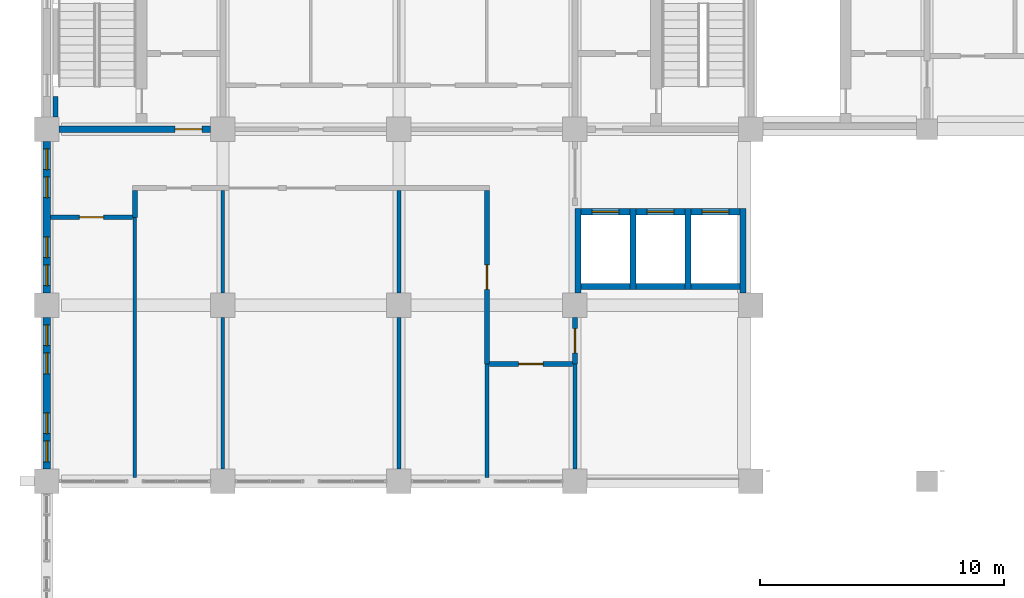
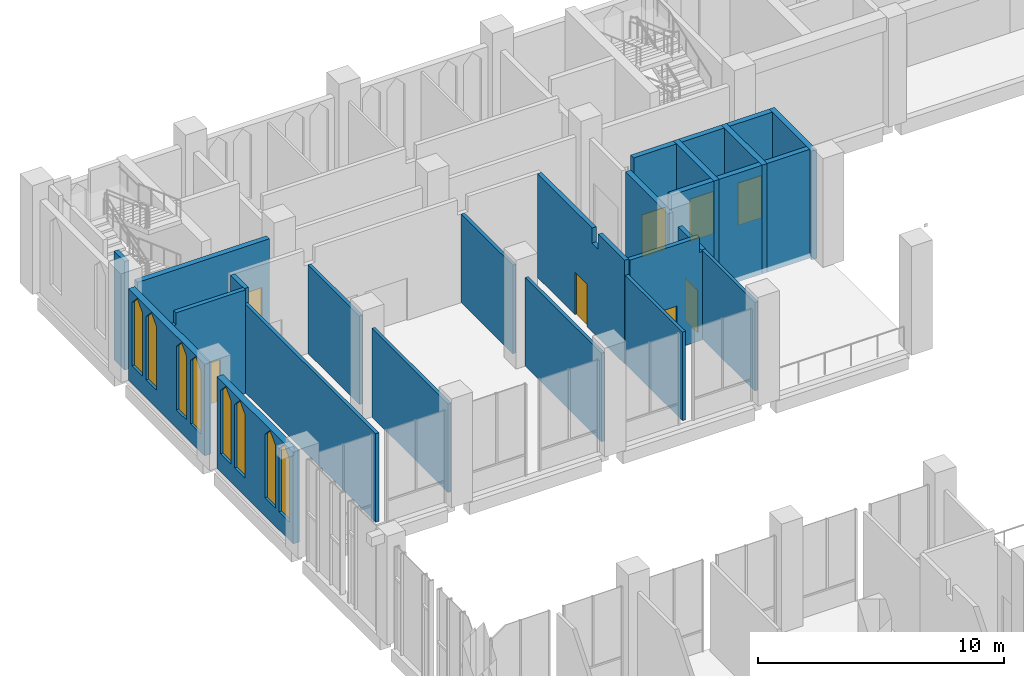
# One storey, part 30 of 48: 26 walls, 8 doors, 8 windows, 16 openings.
"""IFC4 building model written with IfcOpenShell, lengths in metres."""

from ifc_helpers import new_model, si_unit, direction, frame, frame_2d, origin, place, context, subcontext, project, spatial, polyline, rectangle, outline, extrude, material, layer, layer_set, type_object, element, fill, save


model = new_model("IFC4")

# Units and contexts
model_context = context("Model", 3, precision=1e-05, world=origin(), true_north=direction((0.0, 1.0)))
body_context = subcontext(model_context, "Body", "Model", "MODEL_VIEW")
ifc_project = project(units=[si_unit("LENGTHUNIT", "METRE"), si_unit("AREAUNIT", "SQUARE_METRE"), si_unit("VOLUMEUNIT", "CUBIC_METRE"), si_unit("PLANEANGLEUNIT", "RADIAN"), si_unit("MASSUNIT", "GRAM", prefix="KILO")], contexts=[model_context])

# Site, building, storey
site_placement = place(None, origin())
site = spatial("IfcSite", under=ifc_project, at=site_placement, CompositionType="ELEMENT")
building_placement = place(site_placement, origin())
building = spatial("IfcBuilding", under=site, at=building_placement, Name="Silangan Lancet Faculty of Sciences", CompositionType="ELEMENT")
storey_placement = place(building_placement, frame((0.0, 0.0, 6.0)))
storey = spatial("IfcBuildingStorey", under=building, at=storey_placement, Name="L01", CompositionType="ELEMENT", Elevation=6.0)

# Wall, openings, windows
ifc_material_1 = material(Name="Concrete C40/50", Category="concrete")
ifc_layer_1 = layer(ifc_material_1, 0.300048828125)
ifc_layer_set_1 = layer_set([ifc_layer_1], Name="Concrete C40/50")
wall_type_1 = type_object("IfcWallType", Name="EW6 Stone-faced base wall", PredefinedType="STANDARD", material=ifc_layer_set_1)
wall_1_placement = place(storey_placement, frame((0.0, 36.5, 0.0), z_axis=(0.0, 0.0, 1.0), x_axis=(0.0, 1.0, 0.0)))
wall_1 = element("IfcWall", 1, at=wall_1_placement, inside=storey, type_object=wall_type_1, Name="EW-L01-W-NT-00", PredefinedType="STANDARD", context=body_context, shape_type="SweptSolid", body=[
    extrude(rectangle(XDim=6.199951171875, YDim=0.300048828125, at=frame_2d((3.10009765625, 0.0))), origin(), (0.0, 0.0, 1.0), 4.550048828125),
])
opening_1_placement = place(wall_1_placement, frame((0.300048828125, 0.0, 0.89990234375)))
opening_1 = element("IfcOpeningElement", 2, at=opening_1_placement, cuts=wall_1, Name="Opening W7", PredefinedType="OPENING", context=body_context, shape_type="SweptSolid", body=[
    extrude(outline(polyline([(0.0, 0.0), (0.85009765625, 0.0), (0.85009765625, 3.150146484375), (0.425048828125, 3.60009765625), (0.0, 3.150146484375), (0.0, 0.0)])), frame((0.0, 0.159912109375, 0.0), z_axis=(0.0, -1.0, 0.0), x_axis=(1.0, 0.0, 0.0)), (0.0, 0.0, 1.0), 0.320068359375),
])
opening_2_placement = place(wall_1_placement, frame((1.449951171875, 0.0, 0.89990234375)))
opening_2 = element("IfcOpeningElement", 3, at=opening_2_placement, cuts=wall_1, Name="Opening W7", PredefinedType="OPENING", context=body_context, shape_type="SweptSolid", body=[
    extrude(outline(polyline([(0.0, 0.0), (0.85009765625, 0.0), (0.85009765625, 3.150146484375), (0.425048828125, 3.60009765625), (0.0, 3.150146484375), (0.0, 0.0)])), frame((0.0, 0.159912109375, 0.0), z_axis=(0.0, -1.0, 0.0), x_axis=(1.0, 0.0, 0.0)), (0.0, 0.0, 1.0), 0.320068359375),
])
opening_3_placement = place(wall_1_placement, frame((3.89990234375, 0.0, 0.89990234375)))
opening_3 = element("IfcOpeningElement", 4, at=opening_3_placement, cuts=wall_1, Name="Opening W7", PredefinedType="OPENING", context=body_context, shape_type="SweptSolid", body=[
    extrude(outline(polyline([(0.0, 0.0), (0.85009765625, 0.0), (0.85009765625, 3.150146484375), (0.425048828125, 3.60009765625), (0.0, 3.150146484375), (0.0, 0.0)])), frame((0.0, 0.159912109375, 0.0), z_axis=(0.0, -1.0, 0.0), x_axis=(1.0, 0.0, 0.0)), (0.0, 0.0, 1.0), 0.320068359375),
])
opening_4_placement = place(wall_1_placement, frame((5.050048828125, 0.0, 0.89990234375)))
opening_4 = element("IfcOpeningElement", 5, at=opening_4_placement, cuts=wall_1, Name="Opening W7", PredefinedType="OPENING", context=body_context, shape_type="SweptSolid", body=[
    extrude(outline(polyline([(0.0, 0.0), (0.85009765625, 0.0), (0.85009765625, 3.150146484375), (0.425048828125, 3.60009765625), (0.0, 3.150146484375), (0.0, 0.0)])), frame((0.0, 0.159912109375, 0.0), z_axis=(0.0, -1.0, 0.0), x_axis=(1.0, 0.0, 0.0)), (0.0, 0.0, 1.0), 0.320068359375),
])
ifc_material_2 = material(Name="Aluminium frame, laminated double glazing", Category="aluminium")
window_type = type_object("IfcWindowType", Name="W7 Lancet window 850 x 3600", PartitioningType="SINGLE_PANEL", PredefinedType="WINDOW", material=ifc_material_2)
window_1_placement = place(opening_1_placement, origin())
window_1 = element("IfcWindow", 6, at=window_1_placement, inside=storey, type_object=window_type, Name="WIN-L01-W-NT-00a1", OverallHeight=3.60009765625, OverallWidth=0.85009765625, PartitioningType="SINGLE_PANEL", PredefinedType="WINDOW", context=body_context, shape_type="SweptSolid", body=[
    extrude(outline(polyline([(0.0, 0.0), (0.85009765625, 0.0), (0.85009765625, 3.150146484375), (0.425048828125, 3.60009765625), (0.0, 3.150146484375), (0.0, 0.0)])), frame((0.0, 0.030029296875, 0.0), z_axis=(0.0, -1.0, 0.0), x_axis=(1.0, 0.0, 0.0)), (0.0, 0.0, 1.0), 0.06005859375),
])
fill(opening_1, window_1)
window_2_placement = place(opening_2_placement, origin())
window_2 = element("IfcWindow", 7, at=window_2_placement, inside=storey, type_object=window_type, Name="WIN-L01-W-NT-00a2", OverallHeight=3.60009765625, OverallWidth=0.85009765625, PartitioningType="SINGLE_PANEL", PredefinedType="WINDOW", context=body_context, shape_type="SweptSolid", body=[
    extrude(outline(polyline([(0.0, 0.0), (0.85009765625, 0.0), (0.85009765625, 3.150146484375), (0.425048828125, 3.60009765625), (0.0, 3.150146484375), (0.0, 0.0)])), frame((0.0, 0.030029296875, 0.0), z_axis=(0.0, -1.0, 0.0), x_axis=(1.0, 0.0, 0.0)), (0.0, 0.0, 1.0), 0.06005859375),
])
fill(opening_2, window_2)
window_3_placement = place(opening_3_placement, origin())
window_3 = element("IfcWindow", 8, at=window_3_placement, inside=storey, type_object=window_type, Name="WIN-L01-W-NT-00b1", OverallHeight=3.60009765625, OverallWidth=0.85009765625, PartitioningType="SINGLE_PANEL", PredefinedType="WINDOW", context=body_context, shape_type="SweptSolid", body=[
    extrude(outline(polyline([(0.0, 0.0), (0.85009765625, 0.0), (0.85009765625, 3.150146484375), (0.425048828125, 3.60009765625), (0.0, 3.150146484375), (0.0, 0.0)])), frame((0.0, 0.030029296875, 0.0), z_axis=(0.0, -1.0, 0.0), x_axis=(1.0, 0.0, 0.0)), (0.0, 0.0, 1.0), 0.06005859375),
])
fill(opening_3, window_3)
window_4_placement = place(opening_4_placement, origin())
window_4 = element("IfcWindow", 9, at=window_4_placement, inside=storey, type_object=window_type, Name="WIN-L01-W-NT-00b2", OverallHeight=3.60009765625, OverallWidth=0.85009765625, PartitioningType="SINGLE_PANEL", PredefinedType="WINDOW", context=body_context, shape_type="SweptSolid", body=[
    extrude(outline(polyline([(0.0, 0.0), (0.85009765625, 0.0), (0.85009765625, 3.150146484375), (0.425048828125, 3.60009765625), (0.0, 3.150146484375), (0.0, 0.0)])), frame((0.0, 0.030029296875, 0.0), z_axis=(0.0, -1.0, 0.0), x_axis=(1.0, 0.0, 0.0)), (0.0, 0.0, 1.0), 0.06005859375),
])
fill(opening_4, window_4)

wall_2_placement = place(storey_placement, frame((0.0, 43.699951171875, 0.0), z_axis=(0.0, 0.0, 1.0), x_axis=(0.0, 1.0, 0.0)))
wall_2 = element("IfcWall", 10, at=wall_2_placement, inside=storey, type_object=wall_type_1, Name="EW-L01-W-NT-01", PredefinedType="STANDARD", context=body_context, shape_type="SweptSolid", body=[
    extrude(rectangle(XDim=6.199951171875, YDim=0.300048828125, at=frame_2d((3.10009765625, 0.0))), origin(), (0.0, 0.0, 1.0), 4.550048828125),
])
opening_5_placement = place(wall_2_placement, frame((0.300048828125, 0.0, 0.89990234375)))
opening_5 = element("IfcOpeningElement", 11, at=opening_5_placement, cuts=wall_2, Name="Opening W7", PredefinedType="OPENING", context=body_context, shape_type="SweptSolid", body=[
    extrude(outline(polyline([(0.0, 0.0), (0.85009765625, 0.0), (0.85009765625, 3.150146484375), (0.425048828125, 3.60009765625), (0.0, 3.150146484375), (0.0, 0.0)])), frame((0.0, 0.159912109375, 0.0), z_axis=(0.0, -1.0, 0.0), x_axis=(1.0, 0.0, 0.0)), (0.0, 0.0, 1.0), 0.320068359375),
])
opening_6_placement = place(wall_2_placement, frame((1.449951171875, 0.0, 0.89990234375)))
opening_6 = element("IfcOpeningElement", 12, at=opening_6_placement, cuts=wall_2, Name="Opening W7", PredefinedType="OPENING", context=body_context, shape_type="SweptSolid", body=[
    extrude(outline(polyline([(0.0, 0.0), (0.85009765625, 0.0), (0.85009765625, 3.150146484375), (0.425048828125, 3.60009765625), (0.0, 3.150146484375), (0.0, 0.0)])), frame((0.0, 0.159912109375, 0.0), z_axis=(0.0, -1.0, 0.0), x_axis=(1.0, 0.0, 0.0)), (0.0, 0.0, 1.0), 0.320068359375),
])
opening_7_placement = place(wall_2_placement, frame((3.89990234375, 0.0, 0.89990234375)))
opening_7 = element("IfcOpeningElement", 13, at=opening_7_placement, cuts=wall_2, Name="Opening W7", PredefinedType="OPENING", context=body_context, shape_type="SweptSolid", body=[
    extrude(outline(polyline([(0.0, 0.0), (0.85009765625, 0.0), (0.85009765625, 3.150146484375), (0.425048828125, 3.60009765625), (0.0, 3.150146484375), (0.0, 0.0)])), frame((0.0, 0.159912109375, 0.0), z_axis=(0.0, -1.0, 0.0), x_axis=(1.0, 0.0, 0.0)), (0.0, 0.0, 1.0), 0.320068359375),
])
opening_8_placement = place(wall_2_placement, frame((5.050048828125, 0.0, 0.89990234375)))
opening_8 = element("IfcOpeningElement", 14, at=opening_8_placement, cuts=wall_2, Name="Opening W7", PredefinedType="OPENING", context=body_context, shape_type="SweptSolid", body=[
    extrude(outline(polyline([(0.0, 0.0), (0.85009765625, 0.0), (0.85009765625, 3.150146484375), (0.425048828125, 3.60009765625), (0.0, 3.150146484375), (0.0, 0.0)])), frame((0.0, 0.159912109375, 0.0), z_axis=(0.0, -1.0, 0.0), x_axis=(1.0, 0.0, 0.0)), (0.0, 0.0, 1.0), 0.320068359375),
])
window_5_placement = place(opening_5_placement, origin())
window_5 = element("IfcWindow", 15, at=window_5_placement, inside=storey, type_object=window_type, Name="WIN-L01-W-NT-01a1", OverallHeight=3.60009765625, OverallWidth=0.85009765625, PartitioningType="SINGLE_PANEL", PredefinedType="WINDOW", context=body_context, shape_type="SweptSolid", body=[
    extrude(outline(polyline([(0.0, 0.0), (0.85009765625, 0.0), (0.85009765625, 3.150146484375), (0.425048828125, 3.60009765625), (0.0, 3.150146484375), (0.0, 0.0)])), frame((0.0, 0.030029296875, 0.0), z_axis=(0.0, -1.0, 0.0), x_axis=(1.0, 0.0, 0.0)), (0.0, 0.0, 1.0), 0.06005859375),
])
fill(opening_5, window_5)
window_6_placement = place(opening_6_placement, origin())
window_6 = element("IfcWindow", 16, at=window_6_placement, inside=storey, type_object=window_type, Name="WIN-L01-W-NT-01a2", OverallHeight=3.60009765625, OverallWidth=0.85009765625, PartitioningType="SINGLE_PANEL", PredefinedType="WINDOW", context=body_context, shape_type="SweptSolid", body=[
    extrude(outline(polyline([(0.0, 0.0), (0.85009765625, 0.0), (0.85009765625, 3.150146484375), (0.425048828125, 3.60009765625), (0.0, 3.150146484375), (0.0, 0.0)])), frame((0.0, 0.030029296875, 0.0), z_axis=(0.0, -1.0, 0.0), x_axis=(1.0, 0.0, 0.0)), (0.0, 0.0, 1.0), 0.06005859375),
])
fill(opening_6, window_6)
window_7_placement = place(opening_7_placement, origin())
window_7 = element("IfcWindow", 17, at=window_7_placement, inside=storey, type_object=window_type, Name="WIN-L01-W-NT-01b1", OverallHeight=3.60009765625, OverallWidth=0.85009765625, PartitioningType="SINGLE_PANEL", PredefinedType="WINDOW", context=body_context, shape_type="SweptSolid", body=[
    extrude(outline(polyline([(0.0, 0.0), (0.85009765625, 0.0), (0.85009765625, 3.150146484375), (0.425048828125, 3.60009765625), (0.0, 3.150146484375), (0.0, 0.0)])), frame((0.0, 0.030029296875, 0.0), z_axis=(0.0, -1.0, 0.0), x_axis=(1.0, 0.0, 0.0)), (0.0, 0.0, 1.0), 0.06005859375),
])
fill(opening_7, window_7)
window_8_placement = place(opening_8_placement, origin())
window_8 = element("IfcWindow", 18, at=window_8_placement, inside=storey, type_object=window_type, Name="WIN-L01-W-NT-01b2", OverallHeight=3.60009765625, OverallWidth=0.85009765625, PartitioningType="SINGLE_PANEL", PredefinedType="WINDOW", context=body_context, shape_type="SweptSolid", body=[
    extrude(outline(polyline([(0.0, 0.0), (0.85009765625, 0.0), (0.85009765625, 3.150146484375), (0.425048828125, 3.60009765625), (0.0, 3.150146484375), (0.0, 0.0)])), frame((0.0, 0.030029296875, 0.0), z_axis=(0.0, -1.0, 0.0), x_axis=(1.0, 0.0, 0.0)), (0.0, 0.0, 1.0), 0.06005859375),
])
fill(opening_8, window_8)

# Wall, opening, door
ifc_material_3 = material(Name="Hollow block masonry fm 7 MPa", Category="masonry")
ifc_layer_2 = layer(ifc_material_3, 0.199951171875)
ifc_layer_set_2 = layer_set([ifc_layer_2], Name="Hollow block masonry fm 7 MPa")
wall_type_2 = type_object("IfcWallType", Name="Interior wall PW1 Corridor wall CHB 200", PredefinedType="PARTITIONING", material=ifc_layer_set_2)
wall_3_placement = place(storey_placement, frame((18.10009765625, 40.800048828125, 0.0), z_axis=(0.0, 0.0, 1.0), x_axis=(1.0, 0.0, 0.0)))
wall_3 = element("IfcWall", 19, at=wall_3_placement, inside=storey, type_object=wall_type_2, Name="Corridor wall CHB 200", PredefinedType="PARTITIONING", context=body_context, shape_type="SweptSolid", body=[
    extrude(outline(polyline([(0.0, 0.0), (3.39990234375, 0.0), (3.39990234375, 4.39990234375), (3.25, 4.39990234375), (3.25, 5.14990234375), (0.0, 5.14990234375), (0.0, 0.0)])), frame((0.0, 0.10009765625, 0.0), z_axis=(0.0, -1.0, 0.0), x_axis=(1.0, 0.0, 0.0)), (0.0, 0.0, 1.0), 0.199951171875),
])
opening_9_placement = place(wall_3_placement, frame((1.199951171875, 0.0, 0.0)))
opening_9 = element("IfcOpeningElement", 20, at=opening_9_placement, cuts=wall_3, Name="Opening L01-024", PredefinedType="OPENING", context=body_context, shape_type="SweptSolid", body=[
    extrude(rectangle(XDim=1.0, YDim=2.10009765625, at=frame_2d((0.5, 1.050048828125))), frame((0.0, 0.10986328125, 0.0), z_axis=(0.0, -1.0, 0.0), x_axis=(1.0, 0.0, 0.0)), (0.0, 0.0, 1.0), 0.219970703125),
])
ifc_material_4 = material(Name="Steel fire door set", Category="steel")
door_type_1 = type_object("IfcDoorType", Name="Door D1 Single leaf fire door 1000 x 2100", OperationType="SINGLE_SWING_LEFT", PredefinedType="DOOR", material=ifc_material_4)
door_1_placement = place(opening_9_placement, frame((1.0, 0.0, 0.0), z_axis=(0.0, 0.0, 1.0), x_axis=(-1.0, 0.0, 0.0)))
door_1 = element("IfcDoor", 21, at=door_1_placement, inside=storey, type_object=door_type_1, Name="Single leaf fire door 1000 x 2100", OperationType="SINGLE_SWING_RIGHT", OverallHeight=2.10009765625, OverallWidth=1.0, PredefinedType="DOOR", context=body_context, shape_type="SweptSolid", body=[
    extrude(rectangle(XDim=1.0, YDim=2.10009765625, at=frame_2d((0.5, 1.050048828125))), frame((0.0, 0.025146484375, 0.0), z_axis=(0.0, -1.0, 0.0), x_axis=(1.0, 0.0, 0.0)), (0.0, 0.0, 1.0), 0.050048828125),
])
fill(opening_9, door_1)

wall_4_placement = place(storey_placement, frame((0.14990234375, 46.800048828125, 0.0), z_axis=(0.0, 0.0, 1.0), x_axis=(1.0, 0.0, 0.0)))
wall_4 = element("IfcWall", 22, at=wall_4_placement, inside=storey, type_object=wall_type_2, Name="Corridor wall CHB 200", PredefinedType="PARTITIONING", context=body_context, shape_type="SweptSolid", body=[
    extrude(outline(polyline([(0.0, 0.0), (3.35009765625, 0.0), (3.35009765625, 5.14990234375), (0.10009765625, 5.14990234375), (0.10009765625, 4.550048828125), (0.0, 4.550048828125), (0.0, 0.0)])), frame((0.0, 0.10009765625, 0.0), z_axis=(0.0, -1.0, 0.0), x_axis=(1.0, 0.0, 0.0)), (0.0, 0.0, 1.0), 0.199951171875),
])
opening_10_placement = place(wall_4_placement, frame((1.175048828125, 0.0, 0.0)))
opening_10 = element("IfcOpeningElement", 23, at=opening_10_placement, cuts=wall_4, Name="Opening L01-026", PredefinedType="OPENING", context=body_context, shape_type="SweptSolid", body=[
    extrude(rectangle(XDim=1.0, YDim=2.10009765625, at=frame_2d((0.5, 1.050048828125))), frame((0.0, 0.10986328125, 0.0), z_axis=(0.0, -1.0, 0.0), x_axis=(1.0, 0.0, 0.0)), (0.0, 0.0, 1.0), 0.219970703125),
])
door_2_placement = place(opening_10_placement, frame((1.0, 0.0, 0.0), z_axis=(0.0, 0.0, 1.0), x_axis=(-1.0, 0.0, 0.0)))
door_2 = element("IfcDoor", 24, at=door_2_placement, inside=storey, type_object=door_type_1, Name="Single leaf fire door 1000 x 2100", OperationType="SINGLE_SWING_RIGHT", OverallHeight=2.10009765625, OverallWidth=1.0, PredefinedType="DOOR", context=body_context, shape_type="SweptSolid", body=[
    extrude(rectangle(XDim=1.0, YDim=2.10009765625, at=frame_2d((0.5, 1.050048828125))), frame((0.0, 0.025146484375, 0.0), z_axis=(0.0, -1.0, 0.0), x_axis=(1.0, 0.0, 0.0)), (0.0, 0.0, 1.0), 0.050048828125),
])
fill(opening_10, door_2)

# Wall
wall_5_placement = place(storey_placement, frame((3.60009765625, 46.800048828125, 0.0), z_axis=(0.0, 0.0, 1.0), x_axis=(0.0, 1.0, 0.0)))
element("IfcWall", 25, at=wall_5_placement, inside=storey, type_object=wall_type_2, Name="Corridor wall CHB 200", PredefinedType="PARTITIONING", context=body_context, shape_type="SweptSolid", body=[
    extrude(rectangle(XDim=1.099853515625, YDim=0.199951171875, at=frame_2d((0.5498046875, 0.0))), origin(), (0.0, 0.0, 1.0), 5.14990234375),
])

# Wall, opening, door
wall_6_placement = place(storey_placement, frame((18.0, 40.800048828125, 0.0), z_axis=(0.0, 0.0, 1.0), x_axis=(0.0, 1.0, 0.0)))
wall_6 = element("IfcWall", 26, at=wall_6_placement, inside=storey, type_object=wall_type_2, Name="Corridor wall CHB 200", PredefinedType="PARTITIONING", context=body_context, shape_type="SweptSolid", body=[
    extrude(outline(polyline([(0.0, 0.0), (7.099853515625, 0.0), (7.099853515625, 5.14990234375), (2.64990234375, 5.14990234375), (2.64990234375, 4.39990234375), (2.14990234375, 4.39990234375), (2.14990234375, 5.14990234375), (0.0, 5.14990234375), (0.0, 0.0)])), frame((0.0, 0.10009765625, 0.0), z_axis=(0.0, -1.0, 0.0), x_axis=(1.0, 0.0, 0.0)), (0.0, 0.0, 1.0), 0.199951171875),
])
opening_11_placement = place(wall_6_placement, frame((3.050048828125, 0.0, 0.0)))
opening_11 = element("IfcOpeningElement", 27, at=opening_11_placement, cuts=wall_6, Name="Opening L01-030", PredefinedType="OPENING", context=body_context, shape_type="SweptSolid", body=[
    extrude(rectangle(XDim=1.0, YDim=2.10009765625, at=frame_2d((0.5, 1.050048828125))), frame((0.0, 0.10986328125, 0.0), z_axis=(0.0, -1.0, 0.0), x_axis=(1.0, 0.0, 0.0)), (0.0, 0.0, 1.0), 0.219970703125),
])
door_3_placement = place(opening_11_placement, origin())
door_3 = element("IfcDoor", 28, at=door_3_placement, inside=storey, type_object=door_type_1, Name="Single leaf fire door 1000 x 2100", OperationType="SINGLE_SWING_RIGHT", OverallHeight=2.10009765625, OverallWidth=1.0, PredefinedType="DOOR", context=body_context, shape_type="SweptSolid", body=[
    extrude(rectangle(XDim=1.0, YDim=2.10009765625, at=frame_2d((0.5, 1.050048828125))), frame((0.0, 0.02490234375, 0.0), z_axis=(0.0, -1.0, 0.0), x_axis=(1.0, 0.0, 0.0)), (0.0, 0.0, 1.0), 0.050048828125),
])
fill(opening_11, door_3)

wall_7_placement = place(storey_placement, frame((21.60009765625, 40.800048828125, 0.0), z_axis=(0.0, 0.0, 1.0), x_axis=(0.0, 1.0, 0.0)))
wall_7 = element("IfcWall", 29, at=wall_7_placement, inside=storey, type_object=wall_type_2, Name="Corridor wall CHB 200", PredefinedType="PARTITIONING", context=body_context, shape_type="SweptSolid", body=[
    extrude(rectangle(XDim=1.89990234375, YDim=0.199951171875, at=frame_2d((0.949951171875, 0.0))), origin(), (0.0, 0.0, 1.0), 4.39990234375),
])
opening_12_placement = place(wall_7_placement, frame((0.449951171875, 0.0, 0.0)))
opening_12 = element("IfcOpeningElement", 30, at=opening_12_placement, cuts=wall_7, Name="Opening L01-025", PredefinedType="OPENING", context=body_context, shape_type="SweptSolid", body=[
    extrude(rectangle(XDim=1.0, YDim=2.10009765625, at=frame_2d((0.5, 1.050048828125))), frame((0.0, 0.10986328125, 0.0), z_axis=(0.0, -1.0, 0.0), x_axis=(1.0, 0.0, 0.0)), (0.0, 0.0, 1.0), 0.219970703125),
])
door_4_placement = place(opening_12_placement, frame((1.0, 0.0, 0.0), z_axis=(0.0, 0.0, 1.0), x_axis=(-1.0, 0.0, 0.0)))
door_4 = element("IfcDoor", 31, at=door_4_placement, inside=storey, type_object=door_type_1, Name="Single leaf fire door 1000 x 2100", OperationType="SINGLE_SWING_LEFT", OverallHeight=2.10009765625, OverallWidth=1.0, PredefinedType="DOOR", context=body_context, shape_type="SweptSolid", body=[
    extrude(rectangle(XDim=1.0, YDim=2.10009765625, at=frame_2d((0.5, 1.050048828125))), frame((0.0, 0.025146484375, 0.0), z_axis=(0.0, -1.0, 0.0), x_axis=(1.0, 0.0, 0.0)), (0.0, 0.0, 1.0), 0.050048828125),
])
fill(opening_12, door_4)

# Walls
ifc_material_5 = material(Name="Hollow block masonry fm 7 MPa", Category="masonry")
ifc_layer_3 = layer(ifc_material_5, 0.14990234375)
ifc_layer_set_3 = layer_set([ifc_layer_3], Name="Hollow block masonry fm 7 MPa")
wall_type_3 = type_object("IfcWallType", Name="Interior wall PW3 Partition CHB 150", PredefinedType="PARTITIONING", material=ifc_layer_set_3)
wall_8_placement = place(storey_placement, frame((3.60009765625, 36.14990234375, 0.0), z_axis=(0.0, 0.0, 1.0), x_axis=(0.0, 1.0, 0.0)))
element("IfcWall", 32, at=wall_8_placement, inside=storey, type_object=wall_type_3, Name="Partition CHB 150", PredefinedType="PARTITIONING", context=body_context, shape_type="SweptSolid", body=[
    extrude(rectangle(XDim=10.650146484375, YDim=0.14990234375, at=frame_2d((5.3251953125, 0.0))), origin(), (0.0, 0.0, 1.0), 4.39990234375),
])
wall_9_placement = place(storey_placement, frame((7.199951171875, 36.5, 0.0), z_axis=(0.0, 0.0, 1.0), x_axis=(0.0, 1.0, 0.0)))
element("IfcWall", 33, at=wall_9_placement, inside=storey, type_object=wall_type_3, Name="Partition CHB 150", PredefinedType="PARTITIONING", context=body_context, shape_type="SweptSolid", body=[
    extrude(rectangle(XDim=6.199951171875, YDim=0.14990234375, at=frame_2d((3.10009765625, 0.0))), origin(), (0.0, 0.0, 1.0), 4.39990234375),
])
wall_10_placement = place(storey_placement, frame((7.199951171875, 43.699951171875, 0.0), z_axis=(0.0, 0.0, 1.0), x_axis=(0.0, 1.0, 0.0)))
element("IfcWall", 34, at=wall_10_placement, inside=storey, type_object=wall_type_3, Name="Partition CHB 150", PredefinedType="PARTITIONING", context=body_context, shape_type="SweptSolid", body=[
    extrude(rectangle(XDim=4.199951171875, YDim=0.14990234375, at=frame_2d((2.10009765625, 0.0))), origin(), (0.0, 0.0, 1.0), 4.39990234375),
])
wall_11_placement = place(storey_placement, frame((14.39990234375, 36.5, 0.0), z_axis=(0.0, 0.0, 1.0), x_axis=(0.0, 1.0, 0.0)))
element("IfcWall", 35, at=wall_11_placement, inside=storey, type_object=wall_type_3, Name="Partition CHB 150", PredefinedType="PARTITIONING", context=body_context, shape_type="SweptSolid", body=[
    extrude(rectangle(XDim=6.199951171875, YDim=0.14990234375, at=frame_2d((3.10009765625, 0.0))), origin(), (0.0, 0.0, 1.0), 4.39990234375),
])
wall_12_placement = place(storey_placement, frame((14.39990234375, 43.699951171875, 0.0), z_axis=(0.0, 0.0, 1.0), x_axis=(0.0, 1.0, 0.0)))
element("IfcWall", 36, at=wall_12_placement, inside=storey, type_object=wall_type_3, Name="Partition CHB 150", PredefinedType="PARTITIONING", context=body_context, shape_type="SweptSolid", body=[
    extrude(rectangle(XDim=4.199951171875, YDim=0.14990234375, at=frame_2d((2.10009765625, 0.0))), origin(), (0.0, 0.0, 1.0), 4.39990234375),
])
wall_13_placement = place(storey_placement, frame((18.0, 36.14990234375, 0.0), z_axis=(0.0, 0.0, 1.0), x_axis=(0.0, 1.0, 0.0)))
element("IfcWall", 37, at=wall_13_placement, inside=storey, type_object=wall_type_3, Name="Partition CHB 150", PredefinedType="PARTITIONING", context=body_context, shape_type="SweptSolid", body=[
    extrude(rectangle(XDim=4.650146484375, YDim=0.14990234375, at=frame_2d((2.3251953125, 0.0))), origin(), (0.0, 0.0, 1.0), 4.39990234375),
])
wall_14_placement = place(storey_placement, frame((21.60009765625, 36.5, 0.0), z_axis=(0.0, 0.0, 1.0), x_axis=(0.0, 1.0, 0.0)))
element("IfcWall", 38, at=wall_14_placement, inside=storey, type_object=wall_type_3, Name="Partition CHB 150", PredefinedType="PARTITIONING", context=body_context, shape_type="SweptSolid", body=[
    extrude(rectangle(XDim=4.300048828125, YDim=0.14990234375, at=frame_2d((2.14990234375, 0.0))), origin(), (0.0, 0.0, 1.0), 4.39990234375),
])
ifc_material_6 = material(Name="Concrete C40/50", Category="concrete")
ifc_layer_4 = layer(ifc_material_6, 0.25)
ifc_layer_set_4 = layer_set([ifc_layer_4], Name="Concrete C40/50")
wall_type_4 = type_object("IfcWallType", Name="LIFT SHAFT WALL RC 250", PredefinedType="SHEAR", material=ifc_layer_set_4)
wall_15_placement = place(storey_placement, frame((21.72509765625, 43.699951171875, -0.25), z_axis=(0.0, 0.0, 1.0), x_axis=(0.0, 1.0, 0.0)))
element("IfcWall", 39, at=wall_15_placement, inside=storey, type_object=wall_type_4, Name="WALL-L01-NT-SW1", PredefinedType="SHEAR", context=body_context, shape_type="SweptSolid", body=[
    extrude(rectangle(XDim=3.449951171875, YDim=0.25, at=frame_2d((1.72509765625, 0.0))), origin(), (0.0, 0.0, 1.0), 4.64990234375),
])
for number, where, z_axis, x_axis, name in (
    (40, (23.97509765625, 43.85009765625, -0.25), (0.0, 0.0, 1.0), (0.0, 1.0, 0.0), "WALL-L01-NT-SW2"),
    (41, (26.22509765625, 43.85009765625, -0.25), (0.0, 0.0, 1.0), (0.0, 1.0, 0.0), "WALL-L01-NT-SW3"),
):
    element("IfcWall", number, at=place(storey_placement, frame(where, z_axis=z_axis, x_axis=x_axis)), inside=storey, type_object=wall_type_4, Name=name, PredefinedType="SHEAR", context=body_context, shape_type="SweptSolid", body=[
        extrude(rectangle(XDim=3.2998046875, YDim=0.25, at=frame_2d((1.64990234375, 0.0))), origin(), (0.0, 0.0, 1.0), 5.39990234375),
    ])
wall_16_placement = place(storey_placement, frame((28.47509765625, 43.699951171875, -0.25), z_axis=(0.0, 0.0, 1.0), x_axis=(0.0, 1.0, 0.0)))
element("IfcWall", 42, at=wall_16_placement, inside=storey, type_object=wall_type_4, Name="WALL-L01-NT-SW4", PredefinedType="SHEAR", context=body_context, shape_type="SweptSolid", body=[
    extrude(rectangle(XDim=3.449951171875, YDim=0.25, at=frame_2d((1.72509765625, 0.0))), origin(), (0.0, 0.0, 1.0), 5.39990234375),
])

# Wall, opening, door
wall_17_placement = place(storey_placement, frame((21.85009765625, 47.02490234375, -0.25), z_axis=(0.0, 0.0, 1.0), x_axis=(1.0, 0.0, 0.0)))
wall_17 = element("IfcWall", 43, at=wall_17_placement, inside=storey, type_object=wall_type_4, Name="WALL-L01-NT-L1-F", PredefinedType="SHEAR", context=body_context, shape_type="SweptSolid", body=[
    extrude(rectangle(XDim=2.0, YDim=0.25, at=frame_2d((1.0, 0.0))), origin(), (0.0, 0.0, 1.0), 5.39990234375),
])
opening_13_placement = place(wall_17_placement, frame((0.449951171875, 0.0, 0.25)))
opening_13 = element("IfcOpeningElement", 44, at=opening_13_placement, cuts=wall_17, Name="Opening L01-804", PredefinedType="OPENING", context=body_context, shape_type="SweptSolid", body=[
    extrude(rectangle(XDim=1.10009765625, YDim=2.10009765625, at=frame_2d((0.550048828125, 1.050048828125))), frame((0.0, 0.135009765625, 0.0), z_axis=(0.0, -1.0, 0.0), x_axis=(1.0, 0.0, 0.0)), (0.0, 0.0, 1.0), 0.27001953125),
])
ifc_material_7 = material(Name="Stainless steel sliding door", Category="steel")
door_type_2 = type_object("IfcDoorType", Name="LD1 Lift landing door 1100x2100", OperationType="SLIDING_TO_LEFT", PredefinedType="DOOR", material=ifc_material_7)
door_5_placement = place(opening_13_placement, origin())
door_5 = element("IfcDoor", 45, at=door_5_placement, inside=storey, type_object=door_type_2, Name="Landing door NT-L1 L01", OperationType="SLIDING_TO_LEFT", OverallHeight=2.10009765625, OverallWidth=1.10009765625, PredefinedType="DOOR", context=body_context, shape_type="SweptSolid", body=[
    extrude(rectangle(XDim=1.10009765625, YDim=2.10009765625, at=frame_2d((0.550048828125, 1.050048828125))), frame((0.0, 0.02490234375, 0.0), z_axis=(0.0, -1.0, 0.0), x_axis=(1.0, 0.0, 0.0)), (0.0, 0.0, 1.0), 0.050048828125),
])
fill(opening_13, door_5)

# Wall
wall_18_placement = place(storey_placement, frame((21.85009765625, 43.97509765625, -0.25), z_axis=(0.0, 0.0, 1.0), x_axis=(1.0, 0.0, 0.0)))
element("IfcWall", 46, at=wall_18_placement, inside=storey, type_object=wall_type_4, Name="WALL-L01-NT-L1-B", PredefinedType="SHEAR", context=body_context, shape_type="SweptSolid", body=[
    extrude(rectangle(XDim=2.0, YDim=0.25, at=frame_2d((1.0, 0.0))), origin(), (0.0, 0.0, 1.0), 5.39990234375),
])

# Wall, opening, door
wall_19_placement = place(storey_placement, frame((24.10009765625, 47.02490234375, -0.25), z_axis=(0.0, 0.0, 1.0), x_axis=(1.0, 0.0, 0.0)))
wall_19 = element("IfcWall", 47, at=wall_19_placement, inside=storey, type_object=wall_type_4, Name="WALL-L01-NT-L2-F", PredefinedType="SHEAR", context=body_context, shape_type="SweptSolid", body=[
    extrude(rectangle(XDim=2.0, YDim=0.25, at=frame_2d((1.0, 0.0))), origin(), (0.0, 0.0, 1.0), 5.39990234375),
])
opening_14_placement = place(wall_19_placement, frame((0.449951171875, 0.0, 0.25)))
opening_14 = element("IfcOpeningElement", 48, at=opening_14_placement, cuts=wall_19, Name="Opening L01-805", PredefinedType="OPENING", context=body_context, shape_type="SweptSolid", body=[
    extrude(rectangle(XDim=1.10009765625, YDim=2.10009765625, at=frame_2d((0.550048828125, 1.050048828125))), frame((0.0, 0.135009765625, 0.0), z_axis=(0.0, -1.0, 0.0), x_axis=(1.0, 0.0, 0.0)), (0.0, 0.0, 1.0), 0.27001953125),
])
door_6_placement = place(opening_14_placement, origin())
door_6 = element("IfcDoor", 49, at=door_6_placement, inside=storey, type_object=door_type_2, Name="Landing door NT-L2 L01", OperationType="SLIDING_TO_LEFT", OverallHeight=2.10009765625, OverallWidth=1.10009765625, PredefinedType="DOOR", context=body_context, shape_type="SweptSolid", body=[
    extrude(rectangle(XDim=1.10009765625, YDim=2.10009765625, at=frame_2d((0.550048828125, 1.050048828125))), frame((0.0, 0.02490234375, 0.0), z_axis=(0.0, -1.0, 0.0), x_axis=(1.0, 0.0, 0.0)), (0.0, 0.0, 1.0), 0.050048828125),
])
fill(opening_14, door_6)

# Wall
wall_20_placement = place(storey_placement, frame((24.10009765625, 43.97509765625, -0.25), z_axis=(0.0, 0.0, 1.0), x_axis=(1.0, 0.0, 0.0)))
element("IfcWall", 50, at=wall_20_placement, inside=storey, type_object=wall_type_4, Name="WALL-L01-NT-L2-B", PredefinedType="SHEAR", context=body_context, shape_type="SweptSolid", body=[
    extrude(rectangle(XDim=2.0, YDim=0.25, at=frame_2d((1.0, 0.0))), origin(), (0.0, 0.0, 1.0), 5.39990234375),
])

# Wall, opening, door
wall_21_placement = place(storey_placement, frame((26.35009765625, 47.02490234375, -0.25), z_axis=(0.0, 0.0, 1.0), x_axis=(1.0, 0.0, 0.0)))
wall_21 = element("IfcWall", 51, at=wall_21_placement, inside=storey, type_object=wall_type_4, Name="WALL-L01-NT-L3-F", PredefinedType="SHEAR", context=body_context, shape_type="SweptSolid", body=[
    extrude(rectangle(XDim=2.0, YDim=0.25, at=frame_2d((1.0, 0.0))), origin(), (0.0, 0.0, 1.0), 5.39990234375),
])
opening_15_placement = place(wall_21_placement, frame((0.449951171875, 0.0, 0.25)))
opening_15 = element("IfcOpeningElement", 52, at=opening_15_placement, cuts=wall_21, Name="Opening L01-806", PredefinedType="OPENING", context=body_context, shape_type="SweptSolid", body=[
    extrude(rectangle(XDim=1.10009765625, YDim=2.10009765625, at=frame_2d((0.550048828125, 1.050048828125))), frame((0.0, 0.135009765625, 0.0), z_axis=(0.0, -1.0, 0.0), x_axis=(1.0, 0.0, 0.0)), (0.0, 0.0, 1.0), 0.27001953125),
])
door_7_placement = place(opening_15_placement, origin())
door_7 = element("IfcDoor", 53, at=door_7_placement, inside=storey, type_object=door_type_2, Name="Landing door NT-L3 L01", OperationType="SLIDING_TO_LEFT", OverallHeight=2.10009765625, OverallWidth=1.10009765625, PredefinedType="DOOR", context=body_context, shape_type="SweptSolid", body=[
    extrude(rectangle(XDim=1.10009765625, YDim=2.10009765625, at=frame_2d((0.550048828125, 1.050048828125))), frame((0.0, 0.02490234375, 0.0), z_axis=(0.0, -1.0, 0.0), x_axis=(1.0, 0.0, 0.0)), (0.0, 0.0, 1.0), 0.050048828125),
])
fill(opening_15, door_7)

# Walls
wall_22_placement = place(storey_placement, frame((26.35009765625, 43.97509765625, -0.25), z_axis=(0.0, 0.0, 1.0), x_axis=(1.0, 0.0, 0.0)))
element("IfcWall", 54, at=wall_22_placement, inside=storey, type_object=wall_type_4, Name="WALL-L01-NT-L3-B", PredefinedType="SHEAR", context=body_context, shape_type="SweptSolid", body=[
    extrude(rectangle(XDim=2.0, YDim=0.25, at=frame_2d((1.0, 0.0))), origin(), (0.0, 0.0, 1.0), 5.39990234375),
])
ifc_material_8 = material(Name="Concrete C40/50", Category="concrete")
ifc_layer_5 = layer(ifc_material_8, 0.199951171875)
ifc_layer_set_5 = layer_set([ifc_layer_5], Name="Concrete C40/50")
wall_type_5 = type_object("IfcWallType", Name="TURRET LINING WALL RC 200", PredefinedType="SHEAR", material=ifc_layer_set_5)
wall_23_placement = place(storey_placement, frame((0.35009765625, 50.89990234375, -0.25), z_axis=(0.0, 0.0, 1.0), x_axis=(0.0, 1.0, 0.0)))
element("IfcWall", 55, at=wall_23_placement, inside=storey, type_object=wall_type_5, Name="WALL-L01-NT-A-WL", PredefinedType="SHEAR", context=body_context, shape_type="SweptSolid", body=[
    extrude(rectangle(XDim=0.85009765625, YDim=0.199951171875, at=frame_2d((0.425048828125, 0.0))), origin(), (0.0, 0.0, 1.0), 5.39990234375),
])

# Wall, opening, door
ifc_material_9 = material(Name="Concrete C40/50", Category="concrete")
ifc_layer_6 = layer(ifc_material_9, 0.25)
ifc_layer_set_6 = layer_set([ifc_layer_6], Name="Concrete C40/50")
wall_type_6 = type_object("IfcWallType", Name="TURRET WALL RC 250", PredefinedType="SHEAR", material=ifc_layer_set_6)
wall_24_placement = place(storey_placement, frame((0.5, 50.39990234375, 0.0), z_axis=(0.0, 0.0, 1.0), x_axis=(1.0, 0.0, 0.0)))
wall_24 = element("IfcWall", 56, at=wall_24_placement, inside=storey, type_object=wall_type_6, Name="WALL-L01-NT-A-V", PredefinedType="SHEAR", context=body_context, shape_type="SweptSolid", body=[
    extrude(rectangle(XDim=6.199951171875, YDim=0.25, at=frame_2d((3.10009765625, 0.0))), origin(), (0.0, 0.0, 1.0), 4.39990234375),
])
opening_16_placement = place(wall_24_placement, frame((4.75, 0.0, 0.0)))
opening_16 = element("IfcOpeningElement", 57, at=opening_16_placement, cuts=wall_24, Name="Opening L01-714", PredefinedType="OPENING", context=body_context, shape_type="SweptSolid", body=[
    extrude(rectangle(XDim=1.10009765625, YDim=2.10009765625, at=frame_2d((0.550048828125, 1.050048828125))), frame((0.0, 0.135009765625, 0.0), z_axis=(0.0, -1.0, 0.0), x_axis=(1.0, 0.0, 0.0)), (0.0, 0.0, 1.0), 0.27001953125),
])
ifc_material_10 = material(Name="Steel fire door set", Category="steel")
door_type_3 = type_object("IfcDoorType", Name="D70 Stair vestibule door 1100x2100", OperationType="SINGLE_SWING_LEFT", PredefinedType="DOOR", material=ifc_material_10)
door_8_placement = place(opening_16_placement, origin())
door_8 = element("IfcDoor", 58, at=door_8_placement, inside=storey, type_object=door_type_3, Name="Stair vestibule door NT-A L01", OperationType="SINGLE_SWING_RIGHT", OverallHeight=2.10009765625, OverallWidth=1.10009765625, PredefinedType="DOOR", context=body_context, shape_type="SweptSolid", body=[
    extrude(rectangle(XDim=1.10009765625, YDim=2.10009765625, at=frame_2d((0.550048828125, 1.050048828125))), frame((0.0, 0.02490234375, 0.0), z_axis=(0.0, -1.0, 0.0), x_axis=(1.0, 0.0, 0.0)), (0.0, 0.0, 1.0), 0.050048828125),
])
fill(opening_16, door_8)

save(model, "model.ifc")
